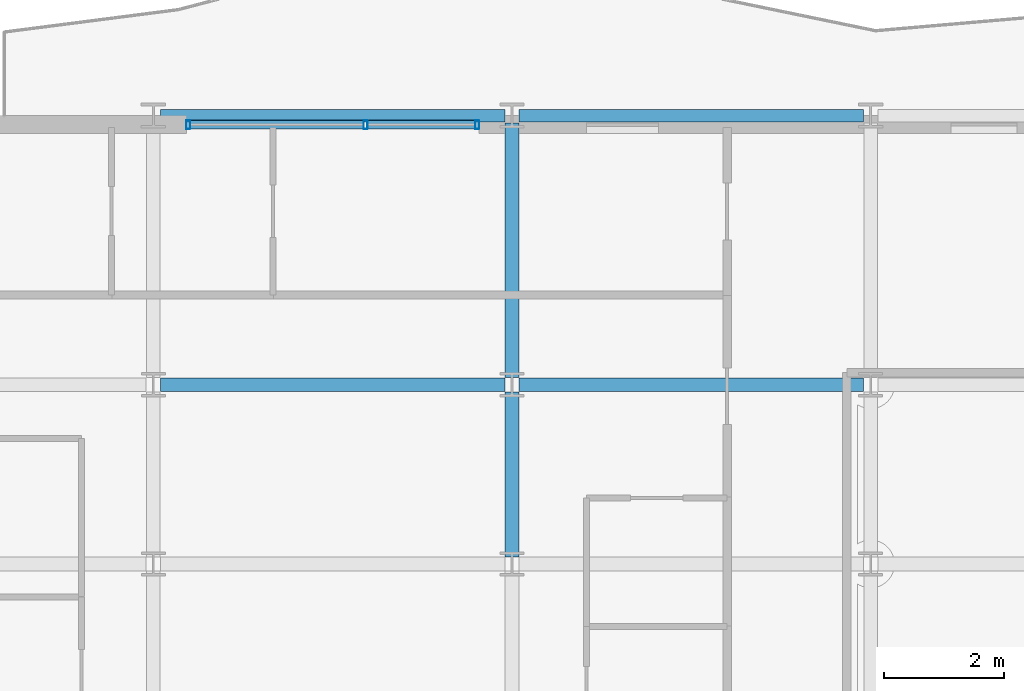
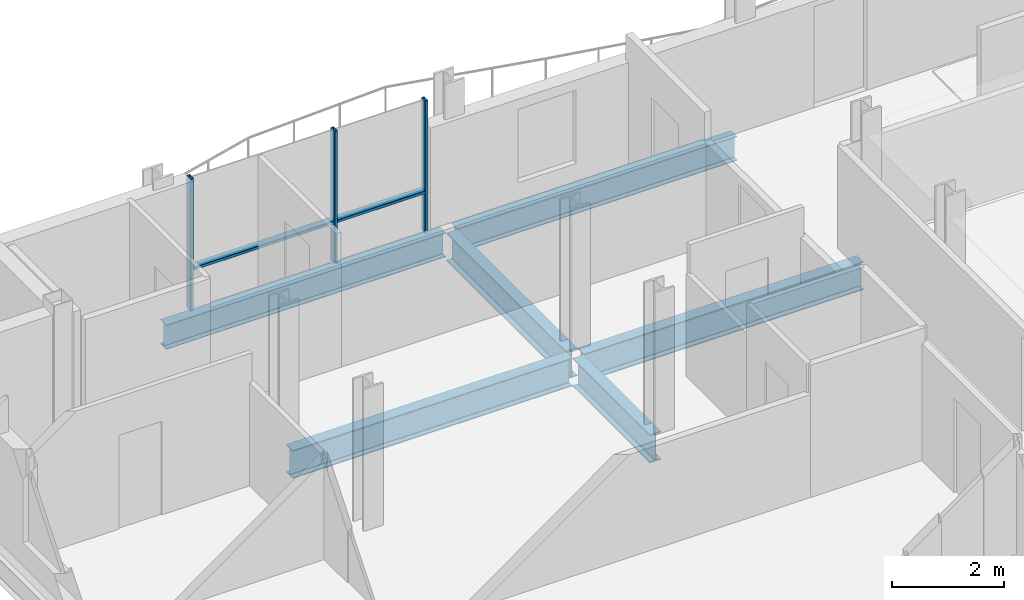
# One storey, part 9 of 38: 6 beams, 5 members, 1 element without a shape of its own.
"""IFC4 building model written with IfcOpenShell, lengths in metres."""

from ifc_helpers import new_model, si_unit, direction, frame, origin, origin_2d, place, context, subcontext, project, spatial, hollow_rectangle, i_section, extrude, material, layer, layer_set, material_profile, profile_set, type_object, element, aggregate, save


model = new_model("IFC4")

# Units and contexts
model_context = context("Model", 3, precision=1e-05, world=origin(), true_north=direction((0.0, 1.0)))
body_context = subcontext(model_context, "Body", "Model", "MODEL_VIEW")
ifc_project = project(units=[si_unit("LENGTHUNIT", "METRE"), si_unit("AREAUNIT", "SQUARE_METRE"), si_unit("VOLUMEUNIT", "CUBIC_METRE"), si_unit("PLANEANGLEUNIT", "RADIAN"), si_unit("MASSUNIT", "GRAM", prefix="KILO")], contexts=[model_context])

# Site, building, storey
site_placement = place(None, origin())
site = spatial("IfcSite", under=ifc_project, at=site_placement, CompositionType="ELEMENT")
building_placement = place(site_placement, origin())
building = spatial("IfcBuilding", under=site, at=building_placement, Name="Brevholm Reach", CompositionType="ELEMENT")
storey_placement = place(building_placement, frame((0.0, 0.0, 141.800048828125)))
storey = spatial("IfcBuildingStorey", under=building, at=storey_placement, Name="L42", CompositionType="ELEMENT", Elevation=141.800048828125)

# Beams
ifc_material_1 = material(Name="Structural Steel S355J2", Category="steel")
ifc_material_profile_1 = material_profile(ifc_material_1, i_section(OverallWidth=0.209228515625, OverallDepth=0.533203125, WebThickness=0.010009765625, FlangeThickness=0.015625, FilletRadius=0.0126953125, at=origin_2d()), Name="UKB 533x210x92")
ifc_profile_set_1 = profile_set([ifc_material_profile_1], Name="Structural Steel S355J2")
beam_type_1 = type_object("IfcBeamType", Name="BM-SP533", PredefinedType="SPANDREL", material=ifc_profile_set_1)
for number, where, z_axis, x_axis, name in (
    (1, (6.1201171875, 31.0, -0.486572265625), (1.0, 0.0, 0.0), (0.0, 1.0, 0.0), "L42 SP-02 Framing Beam"),
    (2, (12.1201171875, 31.0, -0.486572265625), (1.0, 0.0, 0.0), (0.0, 1.0, 0.0), "L42 SP-02 Framing Beam"),
):
    element("IfcBeam", number, at=place(storey_placement, frame(where, z_axis=z_axis, x_axis=x_axis)), inside=storey, type_object=beam_type_1, Name=name, PredefinedType="SPANDREL", context=body_context, shape_type="SweptSolid", body=[
        extrude(i_section(OverallWidth=0.209228515625, OverallDepth=0.533203125, WebThickness=0.010009765625, FlangeThickness=0.015625, FilletRadius=0.0126953125, at=origin_2d()), origin(), (0.0, 0.0, 1.0), 5.759765625),
    ])
ifc_material_2 = material(Name="Structural Steel S355J2", Category="steel")
ifc_material_profile_2 = material_profile(ifc_material_2, i_section(OverallWidth=0.22900390625, OverallDepth=0.6123046875, WebThickness=0.011962890625, FlangeThickness=0.01953125, FilletRadius=0.0126953125, at=origin_2d()), Name="UKB 610x229x125")
ifc_profile_set_2 = profile_set([ifc_material_profile_2], Name="Structural Steel S355J2")
beam_type_2 = type_object("IfcBeamType", Name="BM-SP610", PredefinedType="SPANDREL", material=ifc_profile_set_2)
for number, where, z_axis, x_axis, name in (
    (3, (6.1201171875, 26.5, -0.526123046875), (1.0, 0.0, 0.0), (0.0, 1.0, 0.0), "L42 SP-01 Framing Beam"),
    (4, (12.1201171875, 26.5, -0.526123046875), (1.0, 0.0, 0.0), (0.0, 1.0, 0.0), "L42 SP-01 Framing Beam"),
):
    element("IfcBeam", number, at=place(storey_placement, frame(where, z_axis=z_axis, x_axis=x_axis)), inside=storey, type_object=beam_type_2, Name=name, PredefinedType="SPANDREL", context=body_context, shape_type="SweptSolid", body=[
        extrude(i_section(OverallWidth=0.22900390625, OverallDepth=0.6123046875, WebThickness=0.011962890625, FlangeThickness=0.01953125, FilletRadius=0.0126953125, at=origin_2d()), origin(), (0.0, 0.0, 1.0), 5.759765625),
    ])
beam_1_placement = place(storey_placement, frame((12.0, 23.6201171875, -0.526123046875), z_axis=(0.0, 1.0, 0.0), x_axis=(-1.0, 0.0, 0.0)))
element("IfcBeam", 5, at=beam_1_placement, inside=storey, type_object=beam_type_2, Name="L42 SP-01 Framing Beam", PredefinedType="SPANDREL", context=body_context, shape_type="SweptSolid", body=[
    extrude(i_section(OverallWidth=0.22900390625, OverallDepth=0.6123046875, WebThickness=0.011962890625, FlangeThickness=0.01953125, FilletRadius=0.0126953125, at=origin_2d()), origin(), (0.0, 0.0, 1.0), 2.759765625),
])
beam_2_placement = place(storey_placement, frame((12.0, 26.6201171875, -0.526123046875), z_axis=(0.0, 1.0, 0.0), x_axis=(-1.0, 0.0, 0.0)))
element("IfcBeam", 6, at=beam_2_placement, inside=storey, type_object=beam_type_2, Name="L42 SP-01 Framing Beam", PredefinedType="SPANDREL", context=body_context, shape_type="SweptSolid", body=[
    extrude(i_section(OverallWidth=0.22900390625, OverallDepth=0.6123046875, WebThickness=0.011962890625, FlangeThickness=0.01953125, FilletRadius=0.0126953125, at=origin_2d()), origin(), (0.0, 0.0, 1.0), 4.259765625),
])

# Curtain wall, members
ifc_material_3 = material(Name="Dark Anodised Aluminium 6063-T6 and Solar-Control Glass", Category="aluminium")
ifc_layer = layer(ifc_material_3, 0.14990234375)
ifc_layer_set = layer_set([ifc_layer], Name="Dark Anodised Aluminium 6063-T6 and Solar-Control Glass")
curtain_wall_type = type_object("IfcCurtainWallType", Name="CW-01", PredefinedType="NOTDEFINED", material=ifc_layer_set)
curtain_wall_placement = place(storey_placement, origin())
curtain_wall = element("IfcCurtainWall", 7, at=curtain_wall_placement, inside=storey, type_object=curtain_wall_type, Name="L42 Curtain Wall CW-01", PredefinedType="NOTDEFINED")
ifc_material_4 = material(Name="Dark Anodised Aluminium 6063-T6", Category="aluminium")
ifc_material_profile_3 = material_profile(ifc_material_4, hollow_rectangle(XDim=0.06494140625, YDim=0.14990234375, WallThickness=0.0048828125, InnerFilletRadius=0.0048828125, OuterFilletRadius=0.010009765625, at=origin_2d()), Name="RHS 150x65x5")
ifc_profile_set_3 = profile_set([ifc_material_profile_3], Name="Dark Anodised Aluminium 6063-T6")
member_type_1 = type_object("IfcMemberType", Name="CWM-150", PredefinedType="MULLION", material=ifc_profile_set_3)
member_1_placement = place(storey_placement, frame((6.58251953125, 30.85009765625, 0.0), z_axis=(0.0, 0.0, 1.0), x_axis=(1.0, 0.0, 0.0)))
member_1 = element("IfcMember", 8, at=member_1_placement, type_object=member_type_1, Name="CM-150 Mullion 1", PredefinedType="MULLION", context=body_context, shape_type="SweptSolid", body=[
    extrude(hollow_rectangle(XDim=0.06494140625, YDim=0.14990234375, WallThickness=0.0048828125, InnerFilletRadius=0.0048828125, OuterFilletRadius=0.010009765625, at=origin_2d()), origin(), (0.0, 0.0, 1.0), 2.8798828125),
])
member_2_placement = place(storey_placement, frame((9.550048828125, 30.85009765625, 0.0), z_axis=(0.0, 0.0, 1.0), x_axis=(1.0, 0.0, 0.0)))
member_2 = element("IfcMember", 9, at=member_2_placement, type_object=member_type_1, Name="CM-150 Mullion 2", PredefinedType="MULLION", context=body_context, shape_type="SweptSolid", body=[
    extrude(hollow_rectangle(XDim=0.06494140625, YDim=0.14990234375, WallThickness=0.0048828125, InnerFilletRadius=0.0048828125, OuterFilletRadius=0.010009765625, at=origin_2d()), origin(), (0.0, 0.0, 1.0), 2.8798828125),
])
member_3_placement = place(storey_placement, frame((11.41748046875, 30.85009765625, 0.0), z_axis=(0.0, 0.0, 1.0), x_axis=(1.0, 0.0, 0.0)))
member_3 = element("IfcMember", 10, at=member_3_placement, type_object=member_type_1, Name="CM-150 Mullion 3", PredefinedType="MULLION", context=body_context, shape_type="SweptSolid", body=[
    extrude(hollow_rectangle(XDim=0.06494140625, YDim=0.14990234375, WallThickness=0.0048828125, InnerFilletRadius=0.0048828125, OuterFilletRadius=0.010009765625, at=origin_2d()), origin(), (0.0, 0.0, 1.0), 2.8798828125),
])
ifc_material_5 = material(Name="Dark Anodised Aluminium 6063-T6", Category="aluminium")
ifc_material_profile_4 = material_profile(ifc_material_5, hollow_rectangle(XDim=0.06494140625, YDim=0.14990234375, WallThickness=0.0048828125, InnerFilletRadius=0.0048828125, OuterFilletRadius=0.010009765625, at=origin_2d()), Name="RHS 150x65x5")
ifc_profile_set_4 = profile_set([ifc_material_profile_4], Name="Dark Anodised Aluminium 6063-T6")
member_type_2 = type_object("IfcMemberType", Name="CWT-150", PredefinedType="NOTDEFINED", material=ifc_profile_set_4)
member_4_placement = place(storey_placement, frame((6.614990234375, 30.85009765625, 0.89990234375), z_axis=(1.0, 0.0, 0.0), x_axis=(0.0, 0.0, 1.0)))
member_4 = element("IfcMember", 11, at=member_4_placement, type_object=member_type_2, Name="CT-150 Transom 1.1", ObjectType="TRANSOM", PredefinedType="USERDEFINED", context=body_context, shape_type="SweptSolid", body=[
    extrude(hollow_rectangle(XDim=0.06494140625, YDim=0.14990234375, WallThickness=0.0048828125, InnerFilletRadius=0.0048828125, OuterFilletRadius=0.010009765625, at=origin_2d()), origin(), (0.0, 0.0, 1.0), 2.902587890625),
])
member_5_placement = place(storey_placement, frame((9.58251953125, 30.85009765625, 0.89990234375), z_axis=(1.0, 0.0, 0.0), x_axis=(0.0, 0.0, 1.0)))
member_5 = element("IfcMember", 12, at=member_5_placement, type_object=member_type_2, Name="CT-150 Transom 2.1", ObjectType="TRANSOM", PredefinedType="USERDEFINED", context=body_context, shape_type="SweptSolid", body=[
    extrude(hollow_rectangle(XDim=0.06494140625, YDim=0.14990234375, WallThickness=0.0048828125, InnerFilletRadius=0.0048828125, OuterFilletRadius=0.010009765625, at=origin_2d()), origin(), (0.0, 0.0, 1.0), 1.802490234375),
])
aggregate(curtain_wall, [member_1, member_2, member_3, member_4, member_5])

save(model, "model.ifc")
